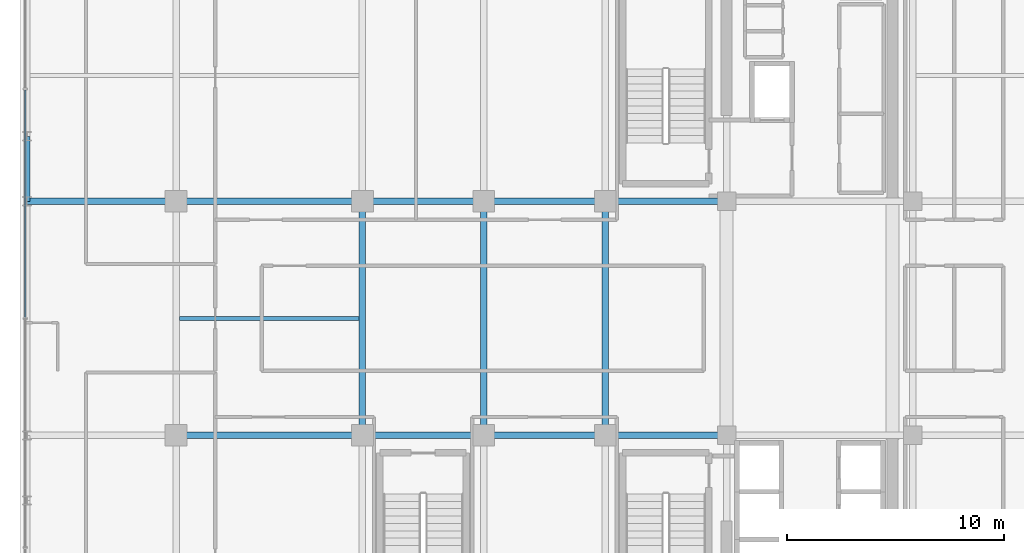
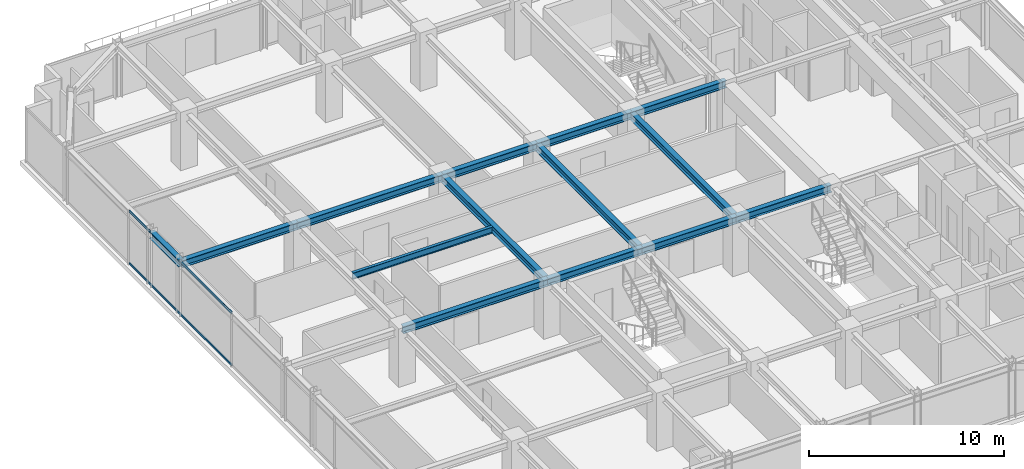
# One storey, part 11 of 36: 14 beams, 2 members, 1 element without a shape of its own.
"""IFC4 building model written with IfcOpenShell, lengths in metres."""

from ifc_helpers import new_model, si_unit, direction, frame, origin, origin_2d, place, context, subcontext, project, spatial, hollow_rectangle, i_section, extrude, source, transform, mapped, material, material_profile, profile_set, type_object, element, aggregate, save


model = new_model("IFC4")

# Units and contexts
model_context = context("Model", 3, precision=1e-05, world=origin(), true_north=direction((0.0, 1.0)))
body_context = subcontext(model_context, "Body", "Model", "MODEL_VIEW")
ifc_project = project(units=[si_unit("LENGTHUNIT", "METRE"), si_unit("AREAUNIT", "SQUARE_METRE"), si_unit("VOLUMEUNIT", "CUBIC_METRE"), si_unit("PLANEANGLEUNIT", "RADIAN"), si_unit("MASSUNIT", "GRAM", prefix="KILO")], contexts=[model_context])

# Site, building, storey
site_placement = place(None, origin())
site = spatial("IfcSite", under=ifc_project, at=site_placement, CompositionType="ELEMENT")
building_placement = place(site_placement, origin())
building = spatial("IfcBuilding", under=site, at=building_placement, Name="Nahalor Promenade Grand Hotel", CompositionType="ELEMENT")
storey_placement = place(building_placement, frame((0.0, 0.0, 234.5)))
storey = spatial("IfcBuildingStorey", under=building, at=storey_placement, Name="L60", CompositionType="ELEMENT", Elevation=234.5)

# Beams
ifc_material_1 = material(Name="Steel S355JR", Category="steel")
ifc_material_profile_1 = material_profile(ifc_material_1, i_section(OverallWidth=0.3, OverallDepth=0.45, WebThickness=0.014, FlangeThickness=0.026, at=origin_2d()), Name="HEB 450")
ifc_profile_set_1 = profile_set([ifc_material_profile_1], Name="Steel S355JR")
beam_type_1 = type_object("IfcBeamType", Name="Beam-Spandrel-HEB450", PredefinedType="SPANDREL", material=ifc_profile_set_1)
shared_shape_1 = source(origin(), body_context, "Body", "SweptSolid", [
    extrude(i_section(OverallWidth=0.3, OverallDepth=0.45, WebThickness=0.014, FlangeThickness=0.026, at=origin_2d()), origin(), (0.0, 0.0, 1.0), 3.0),
])
beam_1_placement = place(storey_placement, frame((-23.8798828125, 5.39990234375, 3.18505859375), z_axis=(0.0, 1.0, 0.0), x_axis=(-1.0, 0.0, 0.0)))
element("IfcBeam", 1, at=beam_1_placement, inside=storey, type_object=beam_type_1, Name="BM-L60-SP-W-3", PredefinedType="SPANDREL", context=body_context, shape_type="MappedRepresentation", body=[
    mapped(shared_shape_1, transform((0.0, 0.0, 0.0), scale=1.0)),
])
ifc_material_profile_2 = material_profile(ifc_material_1, i_section(OverallWidth=0.3, OverallDepth=0.45, WebThickness=0.014, FlangeThickness=0.026, at=origin_2d()), Name="HEB 450")
ifc_profile_set_2 = profile_set([ifc_material_profile_2], Name="Steel S355JR")
beam_type_2 = type_object("IfcBeamType", Name="Beam-Girder-HEB450", PredefinedType="BEAM", material=ifc_profile_set_2)
shared_shape_2 = source(origin(), body_context, "Body", "SweptSolid", [
    extrude(i_section(OverallWidth=0.3, OverallDepth=0.45, WebThickness=0.014, FlangeThickness=0.026, at=origin_2d()), origin(), (0.0, 0.0, 1.0), 6.8798828125),
])
beam_2_placement = place(storey_placement, frame((-23.8798828125, 5.39990234375, 3.18505859375), z_axis=(1.0, 0.0, 0.0), x_axis=(0.0, 1.0, 0.0)))
element("IfcBeam", 2, at=beam_2_placement, inside=storey, type_object=beam_type_2, Name="BM-L60-GX-2-0", PredefinedType="BEAM", context=body_context, shape_type="MappedRepresentation", body=[
    mapped(shared_shape_2, transform((0.0, 0.0, 0.0), scale=1.0)),
])
shared_shape_3 = source(origin(), body_context, "Body", "SweptSolid", [
    extrude(i_section(OverallWidth=0.3, OverallDepth=0.45, WebThickness=0.014, FlangeThickness=0.026, at=origin_2d()), origin(), (0.0, 0.0, 1.0), 8.60009765625),
])
for number, where, z_axis, x_axis, name in (
    (3, (-17.0, -5.39990234375, 3.18505859375), (1.0, 0.0, 0.0), (0.0, 1.0, 0.0), "BM-L60-GX-1-1"),
    (4, (-17.0, 5.39990234375, 3.18505859375), (1.0, 0.0, 0.0), (0.0, 1.0, 0.0), "BM-L60-GX-2-1"),
):
    element("IfcBeam", number, at=place(storey_placement, frame(where, z_axis=z_axis, x_axis=x_axis)), inside=storey, type_object=beam_type_2, Name=name, PredefinedType="BEAM", context=body_context, shape_type="MappedRepresentation", body=[
        mapped(shared_shape_3, transform((0.0, 0.0, 0.0), scale=1.0)),
    ])
shared_shape_4 = source(origin(), body_context, "Body", "SweptSolid", [
    extrude(i_section(OverallWidth=0.3, OverallDepth=0.45, WebThickness=0.014, FlangeThickness=0.026, at=origin_2d()), origin(), (0.0, 0.0, 1.0), 5.599853515625),
])
for number, where, z_axis, x_axis, name in (
    (5, (-8.39990234375, -5.39990234375, 3.18505859375), (1.0, 0.0, 0.0), (0.0, 1.0, 0.0), "BM-L60-GX-1-2"),
    (6, (2.800048828125, -5.39990234375, 3.18505859375), (1.0, 0.0, 0.0), (0.0, 1.0, 0.0), "BM-L60-GX-1-4"),
    (7, (-8.39990234375, 5.39990234375, 3.18505859375), (1.0, 0.0, 0.0), (0.0, 1.0, 0.0), "BM-L60-GX-2-2"),
    (8, (2.800048828125, 5.39990234375, 3.18505859375), (1.0, 0.0, 0.0), (0.0, 1.0, 0.0), "BM-L60-GX-2-4"),
):
    element("IfcBeam", number, at=place(storey_placement, frame(where, z_axis=z_axis, x_axis=x_axis)), inside=storey, type_object=beam_type_2, Name=name, PredefinedType="BEAM", context=body_context, shape_type="MappedRepresentation", body=[
        mapped(shared_shape_4, transform((0.0, 0.0, 0.0), scale=1.0)),
    ])
shared_shape_5 = source(origin(), body_context, "Body", "SweptSolid", [
    extrude(i_section(OverallWidth=0.3, OverallDepth=0.45, WebThickness=0.014, FlangeThickness=0.026, at=origin_2d()), origin(), (0.0, 0.0, 1.0), 5.60009765625),
])
for number, where, z_axis, x_axis, name in (
    (9, (-2.800048828125, -5.39990234375, 3.18505859375), (1.0, 0.0, 0.0), (0.0, 1.0, 0.0), "BM-L60-GX-1-3"),
    (10, (-2.800048828125, 5.39990234375, 3.18505859375), (1.0, 0.0, 0.0), (0.0, 1.0, 0.0), "BM-L60-GX-2-3"),
):
    element("IfcBeam", number, at=place(storey_placement, frame(where, z_axis=z_axis, x_axis=x_axis)), inside=storey, type_object=beam_type_2, Name=name, PredefinedType="BEAM", context=body_context, shape_type="MappedRepresentation", body=[
        mapped(shared_shape_5, transform((0.0, 0.0, 0.0), scale=1.0)),
    ])
shared_shape_6 = source(origin(), body_context, "Body", "SweptSolid", [
    extrude(i_section(OverallWidth=0.3, OverallDepth=0.45, WebThickness=0.014, FlangeThickness=0.026, at=origin_2d()), origin(), (0.0, 0.0, 1.0), 10.7998046875),
])
for number, where, z_axis, x_axis, name in (
    (11, (-8.39990234375, -5.39990234375, 3.18505859375), (0.0, 1.0, 0.0), (-1.0, 0.0, 0.0), "BM-L60-GY-1-2"),
    (12, (-2.800048828125, -5.39990234375, 3.18505859375), (0.0, 1.0, 0.0), (-1.0, 0.0, 0.0), "BM-L60-GY-2-2"),
    (13, (2.800048828125, -5.39990234375, 3.18505859375), (0.0, 1.0, 0.0), (-1.0, 0.0, 0.0), "BM-L60-GY-3-2"),
):
    element("IfcBeam", number, at=place(storey_placement, frame(where, z_axis=z_axis, x_axis=x_axis)), inside=storey, type_object=beam_type_2, Name=name, PredefinedType="BEAM", context=body_context, shape_type="MappedRepresentation", body=[
        mapped(shared_shape_6, transform((0.0, 0.0, 0.0), scale=1.0)),
    ])
ifc_material_profile_3 = material_profile(ifc_material_1, i_section(OverallWidth=0.18, OverallDepth=0.4, WebThickness=0.0086, FlangeThickness=0.0135, at=origin_2d()), Name="IPE 400")
ifc_profile_set_3 = profile_set([ifc_material_profile_3], Name="Steel S355JR")
beam_type_3 = type_object("IfcBeamType", Name="Beam-Joist-IPE400", PredefinedType="JOIST", material=ifc_profile_set_3)
shared_shape_7 = source(origin(), body_context, "Body", "SweptSolid", [
    extrude(i_section(OverallWidth=0.18, OverallDepth=0.4, WebThickness=0.0086, FlangeThickness=0.0135, at=origin_2d()), origin(), (0.0, 0.0, 1.0), 8.300048828125),
])
beam_3_placement = place(storey_placement, frame((-16.85009765625, 0.0, 3.2099609375), z_axis=(1.0, 0.0, 0.0), x_axis=(0.0, 1.0, 0.0)))
element("IfcBeam", 14, at=beam_3_placement, inside=storey, type_object=beam_type_3, Name="BM-L60-JSC-0", PredefinedType="JOIST", context=body_context, shape_type="MappedRepresentation", body=[
    mapped(shared_shape_7, transform((0.0, 0.0, 0.0), scale=1.0)),
])

# Curtain wall, members
ifc_material_2 = material(Name="Anodised Bronze Aluminium EN AW-6063 T6", Category="aluminium")
curtain_wall_type = type_object("IfcCurtainWallType", Name="CW2 Typical Hotel Flush Bronze Unitised Curtain Wall", PredefinedType="USERDEFINED", material=ifc_material_2)
curtain_wall_placement = place(storey_placement, origin())
curtain_wall = element("IfcCurtainWall", 15, at=curtain_wall_placement, inside=storey, type_object=curtain_wall_type, Name="L60 Curtain Wall CW-L60-W-1", ObjectType="UNITISED_CURTAIN_WALL", PredefinedType="USERDEFINED")
ifc_material_profile_4 = material_profile(ifc_material_2, hollow_rectangle(XDim=0.065, YDim=0.13, WallThickness=0.004, at=origin_2d()), Name="CWT 65x130x4")
ifc_profile_set_4 = profile_set([ifc_material_profile_4], Name="Anodised Bronze Aluminium EN AW-6063 T6")
member_type = type_object("IfcMemberType", Name="CWT2 Typical Bronze Transom 65x130", PredefinedType="USERDEFINED", material=ifc_profile_set_4)
shared_shape_8 = source(origin(), body_context, "Body", "SweptSolid", [
    extrude(hollow_rectangle(XDim=0.065, YDim=0.13, WallThickness=0.004, at=origin_2d()), origin(), (0.0, 0.0, 1.0), 10.51513671875),
])
member_1_placement = place(storey_placement, frame((-23.9599609375, 0.032470703125, 0.06494140625), z_axis=(0.0, 1.0, 0.0), x_axis=(-1.0, 0.0, 0.0)))
member_1 = element("IfcMember", 16, at=member_1_placement, type_object=member_type, Name="CW-L60-W-1 Transom 2-0", ObjectType="TRANSOM", PredefinedType="USERDEFINED", context=body_context, shape_type="MappedRepresentation", body=[
    mapped(shared_shape_8, transform((0.0, 0.0, 0.0), scale=1.0)),
])
member_2_placement = place(storey_placement, frame((-23.9599609375, 0.032470703125, 3.344970703125), z_axis=(0.0, 1.0, 0.0), x_axis=(-1.0, 0.0, 0.0)))
member_2 = element("IfcMember", 17, at=member_2_placement, type_object=member_type, Name="CW-L60-W-1 Transom 2-1", ObjectType="TRANSOM", PredefinedType="USERDEFINED", context=body_context, shape_type="MappedRepresentation", body=[
    mapped(shared_shape_8, transform((0.0, 0.0, 0.0), scale=1.0)),
])
aggregate(curtain_wall, [member_1, member_2])

save(model, "model.ifc")
